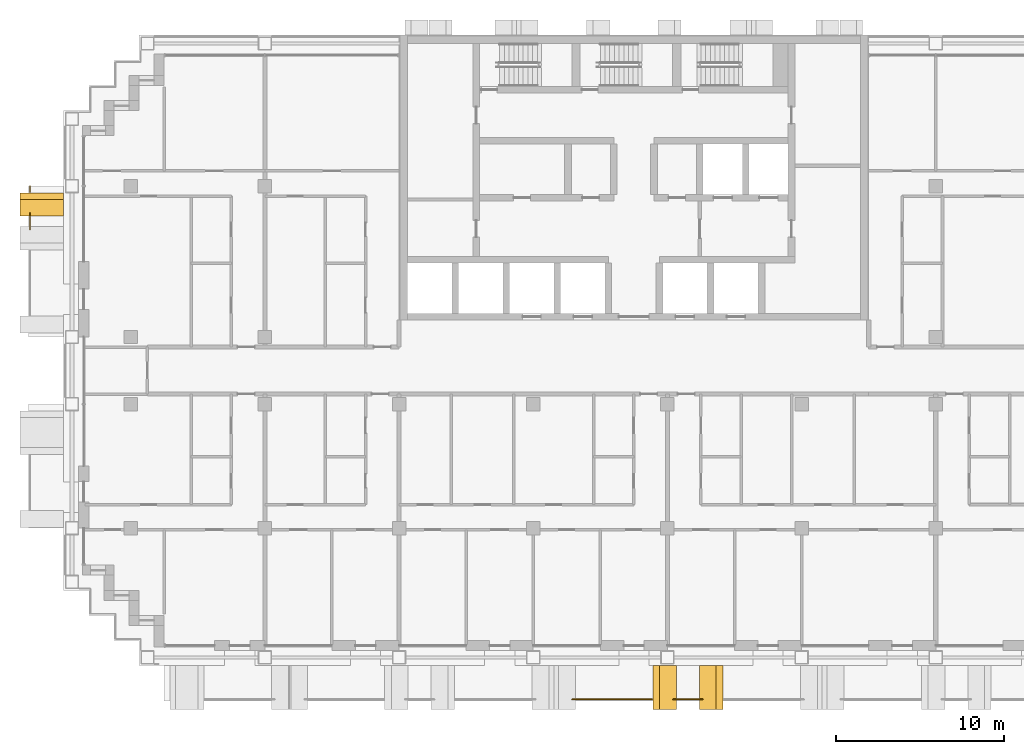
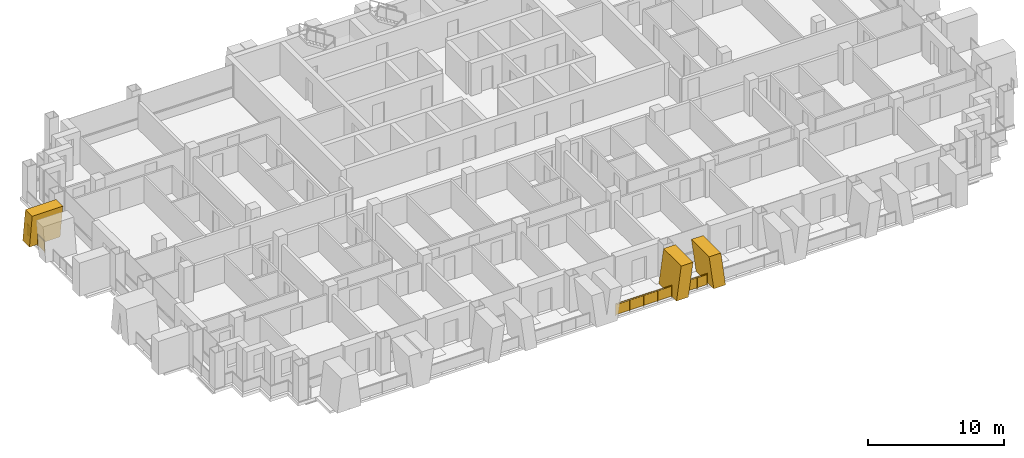
# One storey, part 15 of 18: 4 railings, 3 shading devices.
"""IFC4 building model written with IfcOpenShell, lengths in metres."""

from ifc_helpers import new_model, si_unit, direction, frame, origin, origin_2d, place, context, subcontext, project, spatial, polyline, rectangle, circle, outline, extrude, material, layer, layer_set, type_object, element, save


model = new_model("IFC4")

# Units and contexts
model_context = context("Model", 3, precision=1e-05, world=origin(), true_north=direction((0.0, 1.0)))
body_context = subcontext(model_context, "Body", "Model", "MODEL_VIEW")
ifc_project = project(units=[si_unit("LENGTHUNIT", "METRE"), si_unit("AREAUNIT", "SQUARE_METRE"), si_unit("VOLUMEUNIT", "CUBIC_METRE"), si_unit("PLANEANGLEUNIT", "RADIAN"), si_unit("MASSUNIT", "GRAM", prefix="KILO")], contexts=[model_context])

# Site, building, storey
site_placement = place(None, origin())
site = spatial("IfcSite", under=ifc_project, at=site_placement, CompositionType="ELEMENT")
building_placement = place(site_placement, origin())
building = spatial("IfcBuilding", under=site, at=building_placement, Name="Vidyagriha Tower", CompositionType="ELEMENT")
storey_placement = place(building_placement, frame((0.0, 0.0, 123.0)))
storey = spatial("IfcBuildingStorey", under=building, at=storey_placement, Name="L31", CompositionType="ELEMENT", Elevation=123.0)

# Railings
ifc_material_1 = material(Name="Steel ASTM A500 Grade C black painted", Category="steel")
railing_type = type_object("IfcRailingType", Name="Balcony guard 1100", PredefinedType="BALUSTRADE", material=ifc_material_1)
railing_1_placement = place(storey_placement, frame((-36.0, 11.0, 0.0)))
element("IfcRailing", 1, at=railing_1_placement, inside=storey, type_object=railing_type, Name="Balcony guard L31 R16.1-1", PredefinedType="BALUSTRADE", context=body_context, shape_type="SweptSolid", body=[
    extrude(circle(Radius=0.02490234375, at=origin_2d()), frame((0.0, 0.0, 1.0751953125), z_axis=(0.0, -1.0, 0.0), x_axis=(1.0, 0.0, 0.0)), (0.0, 0.0, 1.0), 0.35009765625),
    extrude(circle(Radius=0.02001953125, at=origin_2d()), origin(), (0.0, 0.0, 1.0), 1.050048828125),
    extrude(circle(Radius=0.02001953125, at=origin_2d()), frame((0.0, -0.35009765625, 0.0)), (0.0, 0.0, 1.0), 1.050048828125),
    extrude(rectangle(XDim=0.010009765625, YDim=0.900146484375, at=origin_2d()), frame((0.0, 0.0, 0.550048828125), z_axis=(0.0, -1.0, 0.0), x_axis=(1.0, 0.0, 0.0)), (0.0, 0.0, 1.0), 0.35009765625),
])
railing_2_placement = place(storey_placement, frame((-36.0, 9.396728515625, 0.0)))
element("IfcRailing", 2, at=railing_2_placement, inside=storey, type_object=railing_type, Name="Balcony guard L31 R16.1-2", PredefinedType="BALUSTRADE", context=body_context, shape_type="SweptSolid", body=[
    extrude(circle(Radius=0.02490234375, at=origin_2d()), frame((0.0, 0.0, 1.0751953125), z_axis=(0.0, -1.0, 0.0), x_axis=(1.0, 0.0, 0.0)), (0.0, 0.0, 1.0), 0.993408203125),
    extrude(circle(Radius=0.02001953125, at=origin_2d()), origin(), (0.0, 0.0, 1.0), 1.050048828125),
    extrude(circle(Radius=0.02001953125, at=origin_2d()), frame((0.0, -0.993408203125, 0.0)), (0.0, 0.0, 1.0), 1.050048828125),
    extrude(rectangle(XDim=0.010009765625, YDim=0.900146484375, at=origin_2d()), frame((0.0, 0.0, 0.550048828125), z_axis=(0.0, -1.0, 0.0), x_axis=(1.0, 0.0, 0.0)), (0.0, 0.0, 1.0), 0.993408203125),
])
railing_3_placement = place(storey_placement, frame((-3.678466796875, -19.60009765625, 0.0)))
element("IfcRailing", 3, at=railing_3_placement, inside=storey, type_object=railing_type, Name="Balcony guard L31 R23.1-5", PredefinedType="BALUSTRADE", context=body_context, shape_type="SweptSolid", body=[
    extrude(circle(Radius=0.02490234375, at=origin_2d()), frame((0.0, 0.0, 1.0751953125), z_axis=(1.0, 0.0, 0.0), x_axis=(0.0, 1.0, 0.0)), (0.0, 0.0, 1.0), 4.7734375),
    extrude(circle(Radius=0.02001953125, at=origin_2d()), origin(), (0.0, 0.0, 1.0), 1.050048828125),
    extrude(circle(Radius=0.02001953125, at=origin_2d()), frame((1.193359375, 0.0, 0.0)), (0.0, 0.0, 1.0), 1.050048828125),
    extrude(circle(Radius=0.02001953125, at=origin_2d()), frame((2.38671875, 0.0, 0.0)), (0.0, 0.0, 1.0), 1.050048828125),
    extrude(circle(Radius=0.02001953125, at=origin_2d()), frame((3.580078125, 0.0, 0.0)), (0.0, 0.0, 1.0), 1.050048828125),
    extrude(circle(Radius=0.02001953125, at=origin_2d()), frame((4.7734375, 0.0, 0.0)), (0.0, 0.0, 1.0), 1.050048828125),
    extrude(rectangle(XDim=0.010009765625, YDim=0.900146484375, at=origin_2d()), frame((0.0, 0.0, 0.550048828125), z_axis=(1.0, 0.0, 0.0), x_axis=(0.0, 1.0, 0.0)), (0.0, 0.0, 1.0), 4.7734375),
])
railing_4_placement = place(storey_placement, frame((2.346435546875, -19.60009765625, 0.0)))
element("IfcRailing", 4, at=railing_4_placement, inside=storey, type_object=railing_type, Name="Balcony guard L31 R23.1-6", PredefinedType="BALUSTRADE", context=body_context, shape_type="SweptSolid", body=[
    extrude(circle(Radius=0.02490234375, at=origin_2d()), frame((0.0, 0.0, 1.0751953125), z_axis=(1.0, 0.0, 0.0), x_axis=(0.0, 1.0, 0.0)), (0.0, 0.0, 1.0), 1.757080078125),
    extrude(circle(Radius=0.02001953125, at=origin_2d()), origin(), (0.0, 0.0, 1.0), 1.050048828125),
    extrude(circle(Radius=0.02001953125, at=origin_2d()), frame((0.87841796875, 0.0, 0.0)), (0.0, 0.0, 1.0), 1.050048828125),
    extrude(circle(Radius=0.02001953125, at=origin_2d()), frame((1.757080078125, 0.0, 0.0)), (0.0, 0.0, 1.0), 1.050048828125),
    extrude(rectangle(XDim=0.010009765625, YDim=0.900146484375, at=origin_2d()), frame((0.0, 0.0, 0.550048828125), z_axis=(1.0, 0.0, 0.0), x_axis=(0.0, 1.0, 0.0)), (0.0, 0.0, 1.0), 1.757080078125),
])

# Shading devices
ifc_material_2 = material(Name="Precast concrete C40/50 with buff brick facing", Category="concrete")
ifc_layer = layer(ifc_material_2, 1.0)
ifc_layer_set = layer_set([ifc_layer], Name="Precast concrete C40/50 with buff brick facing")
shading_device_type = type_object("IfcShadingDeviceType", Name="Brick-faced blade fin arm leaning 8 degrees", PredefinedType="USERDEFINED", material=ifc_layer_set)
shading_device_1_placement = place(storey_placement, frame((-35.300048828125, 10.60009765625, 0.0), z_axis=(0.0, 0.0, 1.0), x_axis=(0.0, -1.0, 0.0)))
element("IfcShadingDevice", 5, at=shading_device_1_placement, inside=storey, type_object=shading_device_type, Name="Leaning blade fin L31 R16.300a", ObjectType="BLADE FIN", PredefinedType="USERDEFINED", context=body_context, shape_type="SweptSolid", body=[
    extrude(outline(polyline([(0.0, 0.0), (1.0, 0.0), (1.39990234375, 3.0), (0.39990234375, 3.0), (0.0, 0.0)])), frame((0.0, 1.300048828125, 0.0), z_axis=(0.0, -1.0, 0.0), x_axis=(1.0, 0.0, 0.0)), (0.0, 0.0, 1.0), 2.60009765625),
])
shading_device_2_placement = place(storey_placement, frame((1.14501953125, -18.89990234375, 0.0)))
element("IfcShadingDevice", 6, at=shading_device_2_placement, inside=storey, type_object=shading_device_type, Name="Leaning blade fin L31 R23.3000a", ObjectType="BLADE FIN", PredefinedType="USERDEFINED", context=body_context, shape_type="SweptSolid", body=[
    extrude(outline(polyline([(0.0, 0.0), (1.0, 0.0), (1.39501953125, 3.0), (0.39501953125, 3.0), (0.0, 0.0)])), frame((0.0, 1.300048828125, 0.0), z_axis=(0.0, -1.0, 0.0), x_axis=(1.0, 0.0, 0.0)), (0.0, 0.0, 1.0), 2.60009765625),
])
shading_device_3_placement = place(storey_placement, frame((3.909912109375, -18.89990234375, 0.0)))
element("IfcShadingDevice", 7, at=shading_device_3_placement, inside=storey, type_object=shading_device_type, Name="Leaning blade fin L31 R23.3000b", ObjectType="BLADE FIN", PredefinedType="USERDEFINED", context=body_context, shape_type="SweptSolid", body=[
    extrude(outline(polyline([(0.39501953125, 0.0), (1.39501953125, 0.0), (1.0, 3.0), (0.0, 3.0), (0.39501953125, 0.0)])), frame((0.0, 1.300048828125, 0.0), z_axis=(0.0, -1.0, 0.0), x_axis=(1.0, 0.0, 0.0)), (0.0, 0.0, 1.0), 2.60009765625),
])

save(model, "model.ifc")
